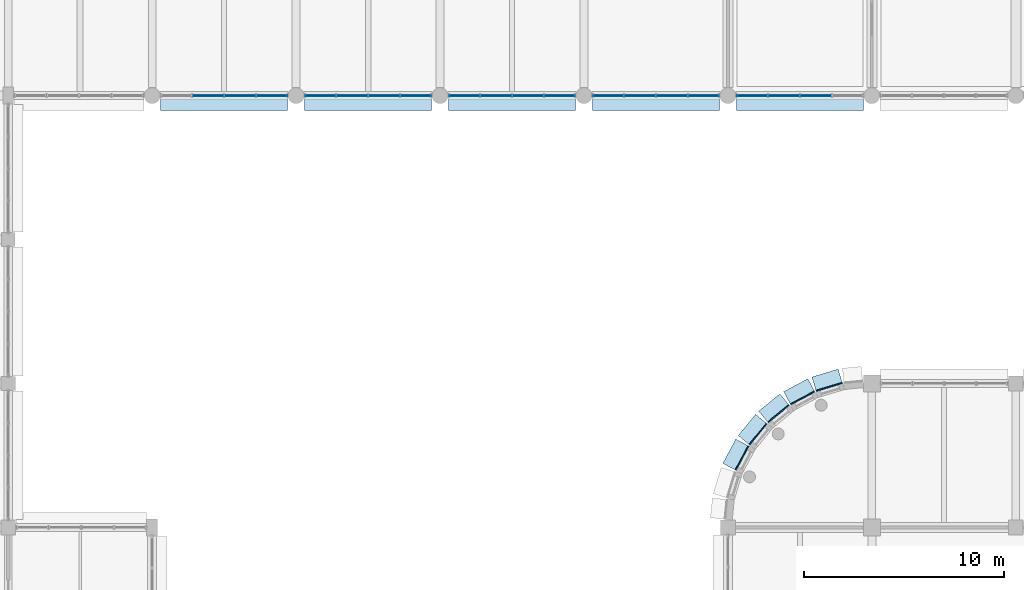
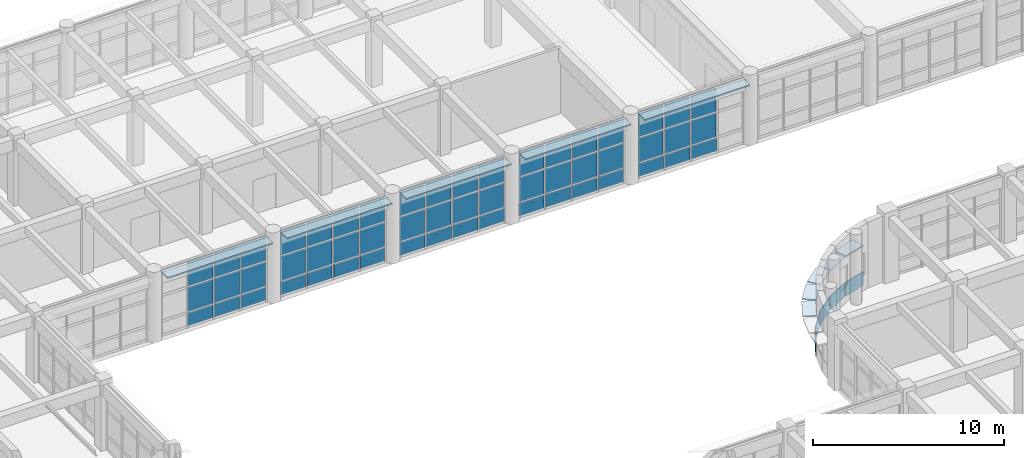
# One storey, part 122 of 171: 69 plates, 5 elements without a shape of their own.
"""IFC4 building model written with IfcOpenShell, lengths in metres."""

from ifc_helpers import new_model, si_unit, direction, frame, origin, origin_2d, place, context, subcontext, project, spatial, rectangle, extrude, material, layer, layer_set, type_object, element, aggregate, save


model = new_model("IFC4")

# Units and contexts
model_context = context("Model", 3, precision=1e-05, world=origin(), true_north=direction((0.0, 1.0)))
body_context = subcontext(model_context, "Body", "Model", "MODEL_VIEW")
ifc_project = project(units=[si_unit("LENGTHUNIT", "METRE"), si_unit("AREAUNIT", "SQUARE_METRE"), si_unit("VOLUMEUNIT", "CUBIC_METRE"), si_unit("PLANEANGLEUNIT", "RADIAN"), si_unit("MASSUNIT", "GRAM", prefix="KILO")], contexts=[model_context])

# Site, building, storey
site_placement = place(None, origin())
site = spatial("IfcSite", under=ifc_project, at=site_placement, CompositionType="ELEMENT")
building_placement = place(site_placement, origin())
building = spatial("IfcBuilding", under=site, at=building_placement, Name="Thalmaran Polytechnic", CompositionType="ELEMENT")
storey_placement = place(building_placement, frame((0.0, 0.0, 5.39990234375)))
storey = spatial("IfcBuildingStorey", under=building, at=storey_placement, Name="L01", CompositionType="ELEMENT", Elevation=5.39990234375)

# Plates
ifc_material_1 = material(Name="Anodised aluminium spandrel band", Category="aluminium")
ifc_layer_1 = layer(ifc_material_1, 0.054931640625, Name="Anodised aluminium spandrel band")
ifc_layer_set_1 = layer_set([ifc_layer_1], Name="Anodised aluminium spandrel band")
plate_type_1 = type_object("IfcPlateType", Name="PT-BD01", PredefinedType="SHEET", material=ifc_layer_set_1)
for number, where, z_axis, x_axis, name in (
    (1, (58.308837890625, 32.26953125, 0.020263671875), (0.0, 0.0, 1.0), (0.471396736826, 0.881921264348, 0.0), "Streamline Horizontal Spandrel Band L01-182"),
    (2, (59.1103515625, 33.46923828125, 0.020263671875), (0.0, 0.0, 1.0), (0.634393284164, 0.773010453363, 0.0), "Streamline Horizontal Spandrel Band L01-183"),
    (3, (60.130615234375, 34.489501953125, 0.020263671875), (0.0, 0.0, 1.0), (0.773010453363, 0.634393284164, 0.0), "Streamline Horizontal Spandrel Band L01-184"),
    (4, (61.33740234375, 35.278076171875, 0.020263671875), (0.0, 0.0, 1.0), (0.881921264348, 0.471396736826, 0.0), "Streamline Horizontal Spandrel Band L01-185"),
    (5, (62.667724609375, 35.8291015625, 0.020263671875), (0.0, 0.0, 1.0), (0.956940335732, 0.290284677254, 0.0), "Streamline Horizontal Spandrel Band L01-186"),
):
    element("IfcPlate", number, at=place(storey_placement, frame(where, z_axis=z_axis, x_axis=x_axis)), inside=storey, type_object=plate_type_1, Name=name, PredefinedType="SHEET", context=body_context, shape_type="SweptSolid", body=[
        extrude(rectangle(XDim=1.371337890625, YDim=0.054931640625, at=origin_2d()), origin(), (0.0, 0.0, 1.0), 0.8798828125),
    ])
ifc_material_2 = material(Name="Anodised aluminium sun-hood eyebrow", Category="aluminium")
ifc_layer_2 = layer(ifc_material_2, 0.0849609375, Name="Anodised aluminium sun-hood eyebrow")
ifc_layer_set_2 = layer_set([ifc_layer_2], Name="Anodised aluminium sun-hood eyebrow")
plate_type_2 = type_object("IfcPlateType", Name="PT-EB01", PredefinedType="SHEET", material=ifc_layer_set_2)
for number, where, z_axis, x_axis, name in (
    (6, (61.199951171875, 50.0400390625, 4.107666015625), (0.0, 0.0, 1.0), (-1.0, 0.0, 0.0), "Streamline Sun-Hood Eyebrow L01-CW152"),
    (7, (54.0, 50.0400390625, 4.107666015625), (0.0, 0.0, 1.0), (-1.0, 0.0, 0.0), "Streamline Sun-Hood Eyebrow L01-CW153"),
    (8, (46.800048828125, 50.0400390625, 4.107666015625), (0.0, 0.0, 1.0), (-1.0, 0.0, 0.0), "Streamline Sun-Hood Eyebrow L01-CW154"),
    (9, (39.60009765625, 50.0400390625, 4.107666015625), (0.0, 0.0, 1.0), (-1.0, 0.0, 0.0), "Streamline Sun-Hood Eyebrow L01-CW155"),
    (10, (32.39990234375, 50.0400390625, 4.107666015625), (0.0, 0.0, 1.0), (-1.0, 0.0, 0.0), "Streamline Sun-Hood Eyebrow L01-CW156"),
):
    element("IfcPlate", number, at=place(storey_placement, frame(where, z_axis=z_axis, x_axis=x_axis)), inside=storey, type_object=plate_type_2, Name=name, PredefinedType="SHEET", context=body_context, shape_type="SweptSolid", body=[
        extrude(rectangle(XDim=6.360107421875, YDim=0.760009765625, at=origin_2d()), origin(), (0.0, 0.0, 1.0), 0.0849609375),
    ])
for number, where, z_axis, x_axis, name in (
    (11, (58.00439453125, 32.432373046875, 2.517578125), (0.0, 0.0, 1.0), (0.471396736826, 0.881921264348, 0.0), "Streamline Sun-Hood Eyebrow L01-182"),
    (12, (58.84375, 33.688232421875, 2.517578125), (0.0, 0.0, 1.0), (0.634393284164, 0.773010453363, 0.0), "Streamline Sun-Hood Eyebrow L01-183"),
    (13, (59.911865234375, 34.75634765625, 2.517578125), (0.0, 0.0, 1.0), (0.773010453363, 0.634393284164, 0.0), "Streamline Sun-Hood Eyebrow L01-184"),
    (14, (61.1748046875, 35.582275390625, 2.517578125), (0.0, 0.0, 1.0), (0.881921264348, 0.471396736826, 0.0), "Streamline Sun-Hood Eyebrow L01-185"),
    (15, (62.567626953125, 36.1591796875, 2.517578125), (0.0, 0.0, 1.0), (0.956940335732, 0.290284677254, 0.0), "Streamline Sun-Hood Eyebrow L01-186"),
):
    element("IfcPlate", number, at=place(storey_placement, frame(where, z_axis=z_axis, x_axis=x_axis)), inside=storey, type_object=plate_type_2, Name=name, PredefinedType="SHEET", context=body_context, shape_type="SweptSolid", body=[
        extrude(rectangle(XDim=1.371337890625, YDim=0.760009765625, at=origin_2d()), origin(), (0.0, 0.0, 1.0), 0.0849609375),
    ])

# Curtain wall, plates
ifc_material_3 = material(Name="Aluminium 6063-T6", Category="aluminium")
curtain_wall_type = type_object("IfcCurtainWallType", Name="CW-SC01", PredefinedType="USERDEFINED", material=ifc_material_3)
curtain_wall_1_placement = place(storey_placement, origin())
curtain_wall_1 = element("IfcCurtainWall", 16, at=curtain_wall_1_placement, inside=storey, type_object=curtain_wall_type, Name="Curtain Wall CW-L01-155", ObjectType="STICK CURTAIN WALL", PredefinedType="USERDEFINED")
ifc_material_4 = material(Name="Solar-control double low-E glass", Category="glass")
ifc_layer_3 = layer(ifc_material_4, 0.035888671875, Name="Solar-control double low-E glass")
ifc_layer_set_3 = layer_set([ifc_layer_3], Name="Solar-control double low-E glass")
plate_type_3 = type_object("IfcPlateType", Name="PT-GL01", PredefinedType="CURTAIN_PANEL", material=ifc_layer_set_3)
plate_1_placement = place(storey_placement, frame((42.0, 50.39990234375, 1.000244140625), z_axis=(0.0, 0.0, 1.0), x_axis=(-1.0, 0.0, 0.0)))
plate_1 = element("IfcPlate", 17, at=plate_1_placement, type_object=plate_type_3, Name="CW-L01-155 Vision Panel 1-2", PredefinedType="CURTAIN_PANEL", context=body_context, shape_type="SweptSolid", body=[
    extrude(rectangle(XDim=1.5, YDim=0.035888671875, at=origin_2d()), origin(), (0.0, 0.0, 1.0), 1.544921875),
])
plate_2_placement = place(storey_placement, frame((42.0, 50.39990234375, 2.625), z_axis=(0.0, 0.0, 1.0), x_axis=(-1.0, 0.0, 0.0)))
plate_2 = element("IfcPlate", 18, at=plate_2_placement, type_object=plate_type_3, Name="CW-L01-155 Vision Panel 1-3", PredefinedType="CURTAIN_PANEL", context=body_context, shape_type="SweptSolid", body=[
    extrude(rectangle(XDim=1.5, YDim=0.035888671875, at=origin_2d()), origin(), (0.0, 0.0, 1.0), 1.485107421875),
])
plate_3_placement = place(storey_placement, frame((40.39990234375, 50.39990234375, 1.000244140625), z_axis=(0.0, 0.0, 1.0), x_axis=(-1.0, 0.0, 0.0)))
plate_3 = element("IfcPlate", 19, at=plate_3_placement, type_object=plate_type_3, Name="CW-L01-155 Vision Panel 2-2", PredefinedType="CURTAIN_PANEL", context=body_context, shape_type="SweptSolid", body=[
    extrude(rectangle(XDim=1.5, YDim=0.035888671875, at=origin_2d()), origin(), (0.0, 0.0, 1.0), 1.544921875),
])
plate_4_placement = place(storey_placement, frame((40.39990234375, 50.39990234375, 2.625), z_axis=(0.0, 0.0, 1.0), x_axis=(-1.0, 0.0, 0.0)))
plate_4 = element("IfcPlate", 20, at=plate_4_placement, type_object=plate_type_3, Name="CW-L01-155 Vision Panel 2-3", PredefinedType="CURTAIN_PANEL", context=body_context, shape_type="SweptSolid", body=[
    extrude(rectangle(XDim=1.5, YDim=0.035888671875, at=origin_2d()), origin(), (0.0, 0.0, 1.0), 1.485107421875),
])
plate_5_placement = place(storey_placement, frame((38.800048828125, 50.39990234375, 1.000244140625), z_axis=(0.0, 0.0, 1.0), x_axis=(-1.0, 0.0, 0.0)))
plate_5 = element("IfcPlate", 21, at=plate_5_placement, type_object=plate_type_3, Name="CW-L01-155 Vision Panel 3-2", PredefinedType="CURTAIN_PANEL", context=body_context, shape_type="SweptSolid", body=[
    extrude(rectangle(XDim=1.5, YDim=0.035888671875, at=origin_2d()), origin(), (0.0, 0.0, 1.0), 1.544921875),
])
plate_6_placement = place(storey_placement, frame((38.800048828125, 50.39990234375, 2.625), z_axis=(0.0, 0.0, 1.0), x_axis=(-1.0, 0.0, 0.0)))
plate_6 = element("IfcPlate", 22, at=plate_6_placement, type_object=plate_type_3, Name="CW-L01-155 Vision Panel 3-3", PredefinedType="CURTAIN_PANEL", context=body_context, shape_type="SweptSolid", body=[
    extrude(rectangle(XDim=1.5, YDim=0.035888671875, at=origin_2d()), origin(), (0.0, 0.0, 1.0), 1.485107421875),
])
plate_7_placement = place(storey_placement, frame((37.199951171875, 50.39990234375, 1.000244140625), z_axis=(0.0, 0.0, 1.0), x_axis=(-1.0, 0.0, 0.0)))
plate_7 = element("IfcPlate", 23, at=plate_7_placement, type_object=plate_type_3, Name="CW-L01-155 Vision Panel 4-2", PredefinedType="CURTAIN_PANEL", context=body_context, shape_type="SweptSolid", body=[
    extrude(rectangle(XDim=1.5, YDim=0.035888671875, at=origin_2d()), origin(), (0.0, 0.0, 1.0), 1.544921875),
])
plate_8_placement = place(storey_placement, frame((37.199951171875, 50.39990234375, 2.625), z_axis=(0.0, 0.0, 1.0), x_axis=(-1.0, 0.0, 0.0)))
plate_8 = element("IfcPlate", 24, at=plate_8_placement, type_object=plate_type_3, Name="CW-L01-155 Vision Panel 4-3", PredefinedType="CURTAIN_PANEL", context=body_context, shape_type="SweptSolid", body=[
    extrude(rectangle(XDim=1.5, YDim=0.035888671875, at=origin_2d()), origin(), (0.0, 0.0, 1.0), 1.485107421875),
])

curtain_wall_2_placement = place(storey_placement, origin())
curtain_wall_2 = element("IfcCurtainWall", 25, at=curtain_wall_2_placement, inside=storey, type_object=curtain_wall_type, Name="Curtain Wall CW-L01-156", ObjectType="STICK CURTAIN WALL", PredefinedType="USERDEFINED")
ifc_layer_4 = layer(ifc_material_4, 0.035888671875, Name="Solar-control double low-E glass")
ifc_layer_set_4 = layer_set([ifc_layer_4], Name="Solar-control double low-E glass")
plate_type_4 = type_object("IfcPlateType", Name="PT-GL02", PredefinedType="CURTAIN_PANEL", material=ifc_layer_set_4)
plate_9_placement = place(storey_placement, frame((34.800048828125, 50.39990234375, 1.000244140625), z_axis=(0.0, 0.0, 1.0), x_axis=(-1.0, 0.0, 0.0)))
plate_9 = element("IfcPlate", 26, at=plate_9_placement, type_object=plate_type_4, Name="CW-L01-156 Vision Panel 1-2", PredefinedType="CURTAIN_PANEL", context=body_context, shape_type="SweptSolid", body=[
    extrude(rectangle(XDim=1.5, YDim=0.035888671875, at=origin_2d()), origin(), (0.0, 0.0, 1.0), 1.544921875),
])
plate_10_placement = place(storey_placement, frame((34.800048828125, 50.39990234375, 2.625), z_axis=(0.0, 0.0, 1.0), x_axis=(-1.0, 0.0, 0.0)))
plate_10 = element("IfcPlate", 27, at=plate_10_placement, type_object=plate_type_4, Name="CW-L01-156 Vision Panel 1-3", PredefinedType="CURTAIN_PANEL", context=body_context, shape_type="SweptSolid", body=[
    extrude(rectangle(XDim=1.5, YDim=0.035888671875, at=origin_2d()), origin(), (0.0, 0.0, 1.0), 1.485107421875),
])
plate_11_placement = place(storey_placement, frame((33.199951171875, 50.39990234375, 1.000244140625), z_axis=(0.0, 0.0, 1.0), x_axis=(-1.0, 0.0, 0.0)))
plate_11 = element("IfcPlate", 28, at=plate_11_placement, type_object=plate_type_4, Name="CW-L01-156 Vision Panel 2-2", PredefinedType="CURTAIN_PANEL", context=body_context, shape_type="SweptSolid", body=[
    extrude(rectangle(XDim=1.5, YDim=0.035888671875, at=origin_2d()), origin(), (0.0, 0.0, 1.0), 1.544921875),
])
plate_12_placement = place(storey_placement, frame((33.199951171875, 50.39990234375, 2.625), z_axis=(0.0, 0.0, 1.0), x_axis=(-1.0, 0.0, 0.0)))
plate_12 = element("IfcPlate", 29, at=plate_12_placement, type_object=plate_type_4, Name="CW-L01-156 Vision Panel 2-3", PredefinedType="CURTAIN_PANEL", context=body_context, shape_type="SweptSolid", body=[
    extrude(rectangle(XDim=1.5, YDim=0.035888671875, at=origin_2d()), origin(), (0.0, 0.0, 1.0), 1.485107421875),
])
plate_13_placement = place(storey_placement, frame((31.60009765625, 50.39990234375, 1.000244140625), z_axis=(0.0, 0.0, 1.0), x_axis=(-1.0, 0.0, 0.0)))
plate_13 = element("IfcPlate", 30, at=plate_13_placement, type_object=plate_type_4, Name="CW-L01-156 Vision Panel 3-2", PredefinedType="CURTAIN_PANEL", context=body_context, shape_type="SweptSolid", body=[
    extrude(rectangle(XDim=1.5, YDim=0.035888671875, at=origin_2d()), origin(), (0.0, 0.0, 1.0), 1.544921875),
])
plate_14_placement = place(storey_placement, frame((31.60009765625, 50.39990234375, 2.625), z_axis=(0.0, 0.0, 1.0), x_axis=(-1.0, 0.0, 0.0)))
plate_14 = element("IfcPlate", 31, at=plate_14_placement, type_object=plate_type_4, Name="CW-L01-156 Vision Panel 3-3", PredefinedType="CURTAIN_PANEL", context=body_context, shape_type="SweptSolid", body=[
    extrude(rectangle(XDim=1.5, YDim=0.035888671875, at=origin_2d()), origin(), (0.0, 0.0, 1.0), 1.485107421875),
])

curtain_wall_3_placement = place(storey_placement, origin())
curtain_wall_3 = element("IfcCurtainWall", 32, at=curtain_wall_3_placement, inside=storey, type_object=curtain_wall_type, Name="Curtain Wall CW-L01-152", ObjectType="STICK CURTAIN WALL", PredefinedType="USERDEFINED")
ifc_layer_5 = layer(ifc_material_4, 0.035888671875, Name="Solar-control double low-E glass")
ifc_layer_set_5 = layer_set([ifc_layer_5], Name="Solar-control double low-E glass")
plate_type_5 = type_object("IfcPlateType", Name="PT-GL03", PredefinedType="CURTAIN_PANEL", material=ifc_layer_set_5)
plate_15_placement = place(storey_placement, frame((62.0, 50.39990234375, 1.000244140625), z_axis=(0.0, 0.0, 1.0), x_axis=(-1.0, 0.0, 0.0)))
plate_15 = element("IfcPlate", 33, at=plate_15_placement, type_object=plate_type_5, Name="CW-L01-152 Vision Panel 2-2", PredefinedType="CURTAIN_PANEL", context=body_context, shape_type="SweptSolid", body=[
    extrude(rectangle(XDim=1.5, YDim=0.035888671875, at=origin_2d()), origin(), (0.0, 0.0, 1.0), 1.544921875),
])
plate_16_placement = place(storey_placement, frame((62.0, 50.39990234375, 2.625), z_axis=(0.0, 0.0, 1.0), x_axis=(-1.0, 0.0, 0.0)))
plate_16 = element("IfcPlate", 34, at=plate_16_placement, type_object=plate_type_5, Name="CW-L01-152 Vision Panel 2-3", PredefinedType="CURTAIN_PANEL", context=body_context, shape_type="SweptSolid", body=[
    extrude(rectangle(XDim=1.5, YDim=0.035888671875, at=origin_2d()), origin(), (0.0, 0.0, 1.0), 1.485107421875),
])
plate_17_placement = place(storey_placement, frame((60.39990234375, 50.39990234375, 1.000244140625), z_axis=(0.0, 0.0, 1.0), x_axis=(-1.0, 0.0, 0.0)))
plate_17 = element("IfcPlate", 35, at=plate_17_placement, type_object=plate_type_5, Name="CW-L01-152 Vision Panel 3-2", PredefinedType="CURTAIN_PANEL", context=body_context, shape_type="SweptSolid", body=[
    extrude(rectangle(XDim=1.5, YDim=0.035888671875, at=origin_2d()), origin(), (0.0, 0.0, 1.0), 1.544921875),
])
plate_18_placement = place(storey_placement, frame((60.39990234375, 50.39990234375, 2.625), z_axis=(0.0, 0.0, 1.0), x_axis=(-1.0, 0.0, 0.0)))
plate_18 = element("IfcPlate", 36, at=plate_18_placement, type_object=plate_type_5, Name="CW-L01-152 Vision Panel 3-3", PredefinedType="CURTAIN_PANEL", context=body_context, shape_type="SweptSolid", body=[
    extrude(rectangle(XDim=1.5, YDim=0.035888671875, at=origin_2d()), origin(), (0.0, 0.0, 1.0), 1.485107421875),
])
plate_19_placement = place(storey_placement, frame((58.800048828125, 50.39990234375, 1.000244140625), z_axis=(0.0, 0.0, 1.0), x_axis=(-1.0, 0.0, 0.0)))
plate_19 = element("IfcPlate", 37, at=plate_19_placement, type_object=plate_type_5, Name="CW-L01-152 Vision Panel 4-2", PredefinedType="CURTAIN_PANEL", context=body_context, shape_type="SweptSolid", body=[
    extrude(rectangle(XDim=1.5, YDim=0.035888671875, at=origin_2d()), origin(), (0.0, 0.0, 1.0), 1.544921875),
])
plate_20_placement = place(storey_placement, frame((58.800048828125, 50.39990234375, 2.625), z_axis=(0.0, 0.0, 1.0), x_axis=(-1.0, 0.0, 0.0)))
plate_20 = element("IfcPlate", 38, at=plate_20_placement, type_object=plate_type_5, Name="CW-L01-152 Vision Panel 4-3", PredefinedType="CURTAIN_PANEL", context=body_context, shape_type="SweptSolid", body=[
    extrude(rectangle(XDim=1.5, YDim=0.035888671875, at=origin_2d()), origin(), (0.0, 0.0, 1.0), 1.485107421875),
])

curtain_wall_4_placement = place(storey_placement, origin())
curtain_wall_4 = element("IfcCurtainWall", 39, at=curtain_wall_4_placement, inside=storey, type_object=curtain_wall_type, Name="Curtain Wall CW-L01-153", ObjectType="STICK CURTAIN WALL", PredefinedType="USERDEFINED")
ifc_layer_6 = layer(ifc_material_4, 0.035888671875, Name="Solar-control double low-E glass")
ifc_layer_set_6 = layer_set([ifc_layer_6], Name="Solar-control double low-E glass")
plate_type_6 = type_object("IfcPlateType", Name="PT-GL04", PredefinedType="CURTAIN_PANEL", material=ifc_layer_set_6)
plate_21_placement = place(storey_placement, frame((56.39990234375, 50.39990234375, 1.000244140625), z_axis=(0.0, 0.0, 1.0), x_axis=(-1.0, 0.0, 0.0)))
plate_21 = element("IfcPlate", 40, at=plate_21_placement, type_object=plate_type_6, Name="CW-L01-153 Vision Panel 1-2", PredefinedType="CURTAIN_PANEL", context=body_context, shape_type="SweptSolid", body=[
    extrude(rectangle(XDim=1.5, YDim=0.035888671875, at=origin_2d()), origin(), (0.0, 0.0, 1.0), 1.544921875),
])
plate_22_placement = place(storey_placement, frame((56.39990234375, 50.39990234375, 2.625), z_axis=(0.0, 0.0, 1.0), x_axis=(-1.0, 0.0, 0.0)))
plate_22 = element("IfcPlate", 41, at=plate_22_placement, type_object=plate_type_6, Name="CW-L01-153 Vision Panel 1-3", PredefinedType="CURTAIN_PANEL", context=body_context, shape_type="SweptSolid", body=[
    extrude(rectangle(XDim=1.5, YDim=0.035888671875, at=origin_2d()), origin(), (0.0, 0.0, 1.0), 1.485107421875),
])
plate_23_placement = place(storey_placement, frame((54.800048828125, 50.39990234375, 1.000244140625), z_axis=(0.0, 0.0, 1.0), x_axis=(-1.0, 0.0, 0.0)))
plate_23 = element("IfcPlate", 42, at=plate_23_placement, type_object=plate_type_6, Name="CW-L01-153 Vision Panel 2-2", PredefinedType="CURTAIN_PANEL", context=body_context, shape_type="SweptSolid", body=[
    extrude(rectangle(XDim=1.5, YDim=0.035888671875, at=origin_2d()), origin(), (0.0, 0.0, 1.0), 1.544921875),
])
plate_24_placement = place(storey_placement, frame((54.800048828125, 50.39990234375, 2.625), z_axis=(0.0, 0.0, 1.0), x_axis=(-1.0, 0.0, 0.0)))
plate_24 = element("IfcPlate", 43, at=plate_24_placement, type_object=plate_type_6, Name="CW-L01-153 Vision Panel 2-3", PredefinedType="CURTAIN_PANEL", context=body_context, shape_type="SweptSolid", body=[
    extrude(rectangle(XDim=1.5, YDim=0.035888671875, at=origin_2d()), origin(), (0.0, 0.0, 1.0), 1.485107421875),
])
plate_25_placement = place(storey_placement, frame((53.199951171875, 50.39990234375, 1.000244140625), z_axis=(0.0, 0.0, 1.0), x_axis=(-1.0, 0.0, 0.0)))
plate_25 = element("IfcPlate", 44, at=plate_25_placement, type_object=plate_type_6, Name="CW-L01-153 Vision Panel 3-2", PredefinedType="CURTAIN_PANEL", context=body_context, shape_type="SweptSolid", body=[
    extrude(rectangle(XDim=1.5, YDim=0.035888671875, at=origin_2d()), origin(), (0.0, 0.0, 1.0), 1.544921875),
])
plate_26_placement = place(storey_placement, frame((53.199951171875, 50.39990234375, 2.625), z_axis=(0.0, 0.0, 1.0), x_axis=(-1.0, 0.0, 0.0)))
plate_26 = element("IfcPlate", 45, at=plate_26_placement, type_object=plate_type_6, Name="CW-L01-153 Vision Panel 3-3", PredefinedType="CURTAIN_PANEL", context=body_context, shape_type="SweptSolid", body=[
    extrude(rectangle(XDim=1.5, YDim=0.035888671875, at=origin_2d()), origin(), (0.0, 0.0, 1.0), 1.485107421875),
])
plate_27_placement = place(storey_placement, frame((51.60009765625, 50.39990234375, 1.000244140625), z_axis=(0.0, 0.0, 1.0), x_axis=(-1.0, 0.0, 0.0)))
plate_27 = element("IfcPlate", 46, at=plate_27_placement, type_object=plate_type_6, Name="CW-L01-153 Vision Panel 4-2", PredefinedType="CURTAIN_PANEL", context=body_context, shape_type="SweptSolid", body=[
    extrude(rectangle(XDim=1.5, YDim=0.035888671875, at=origin_2d()), origin(), (0.0, 0.0, 1.0), 1.544921875),
])
plate_28_placement = place(storey_placement, frame((51.60009765625, 50.39990234375, 2.625), z_axis=(0.0, 0.0, 1.0), x_axis=(-1.0, 0.0, 0.0)))
plate_28 = element("IfcPlate", 47, at=plate_28_placement, type_object=plate_type_6, Name="CW-L01-153 Vision Panel 4-3", PredefinedType="CURTAIN_PANEL", context=body_context, shape_type="SweptSolid", body=[
    extrude(rectangle(XDim=1.5, YDim=0.035888671875, at=origin_2d()), origin(), (0.0, 0.0, 1.0), 1.485107421875),
])

curtain_wall_5_placement = place(storey_placement, origin())
curtain_wall_5 = element("IfcCurtainWall", 48, at=curtain_wall_5_placement, inside=storey, type_object=curtain_wall_type, Name="Curtain Wall CW-L01-154", ObjectType="STICK CURTAIN WALL", PredefinedType="USERDEFINED")
ifc_layer_7 = layer(ifc_material_4, 0.035888671875, Name="Solar-control double low-E glass")
ifc_layer_set_7 = layer_set([ifc_layer_7], Name="Solar-control double low-E glass")
plate_type_7 = type_object("IfcPlateType", Name="PT-GL05", PredefinedType="CURTAIN_PANEL", material=ifc_layer_set_7)
plate_29_placement = place(storey_placement, frame((49.199951171875, 50.39990234375, 1.000244140625), z_axis=(0.0, 0.0, 1.0), x_axis=(-1.0, 0.0, 0.0)))
plate_29 = element("IfcPlate", 49, at=plate_29_placement, type_object=plate_type_7, Name="CW-L01-154 Vision Panel 1-2", PredefinedType="CURTAIN_PANEL", context=body_context, shape_type="SweptSolid", body=[
    extrude(rectangle(XDim=1.5, YDim=0.035888671875, at=origin_2d()), origin(), (0.0, 0.0, 1.0), 1.544921875),
])
plate_30_placement = place(storey_placement, frame((49.199951171875, 50.39990234375, 2.625), z_axis=(0.0, 0.0, 1.0), x_axis=(-1.0, 0.0, 0.0)))
plate_30 = element("IfcPlate", 50, at=plate_30_placement, type_object=plate_type_7, Name="CW-L01-154 Vision Panel 1-3", PredefinedType="CURTAIN_PANEL", context=body_context, shape_type="SweptSolid", body=[
    extrude(rectangle(XDim=1.5, YDim=0.035888671875, at=origin_2d()), origin(), (0.0, 0.0, 1.0), 1.485107421875),
])
plate_31_placement = place(storey_placement, frame((47.60009765625, 50.39990234375, 1.000244140625), z_axis=(0.0, 0.0, 1.0), x_axis=(-1.0, 0.0, 0.0)))
plate_31 = element("IfcPlate", 51, at=plate_31_placement, type_object=plate_type_7, Name="CW-L01-154 Vision Panel 2-2", PredefinedType="CURTAIN_PANEL", context=body_context, shape_type="SweptSolid", body=[
    extrude(rectangle(XDim=1.5, YDim=0.035888671875, at=origin_2d()), origin(), (0.0, 0.0, 1.0), 1.544921875),
])
plate_32_placement = place(storey_placement, frame((47.60009765625, 50.39990234375, 2.625), z_axis=(0.0, 0.0, 1.0), x_axis=(-1.0, 0.0, 0.0)))
plate_32 = element("IfcPlate", 52, at=plate_32_placement, type_object=plate_type_7, Name="CW-L01-154 Vision Panel 2-3", PredefinedType="CURTAIN_PANEL", context=body_context, shape_type="SweptSolid", body=[
    extrude(rectangle(XDim=1.5, YDim=0.035888671875, at=origin_2d()), origin(), (0.0, 0.0, 1.0), 1.485107421875),
])
plate_33_placement = place(storey_placement, frame((46.0, 50.39990234375, 1.000244140625), z_axis=(0.0, 0.0, 1.0), x_axis=(-1.0, 0.0, 0.0)))
plate_33 = element("IfcPlate", 53, at=plate_33_placement, type_object=plate_type_7, Name="CW-L01-154 Vision Panel 3-2", PredefinedType="CURTAIN_PANEL", context=body_context, shape_type="SweptSolid", body=[
    extrude(rectangle(XDim=1.5, YDim=0.035888671875, at=origin_2d()), origin(), (0.0, 0.0, 1.0), 1.544921875),
])
plate_34_placement = place(storey_placement, frame((46.0, 50.39990234375, 2.625), z_axis=(0.0, 0.0, 1.0), x_axis=(-1.0, 0.0, 0.0)))
plate_34 = element("IfcPlate", 54, at=plate_34_placement, type_object=plate_type_7, Name="CW-L01-154 Vision Panel 3-3", PredefinedType="CURTAIN_PANEL", context=body_context, shape_type="SweptSolid", body=[
    extrude(rectangle(XDim=1.5, YDim=0.035888671875, at=origin_2d()), origin(), (0.0, 0.0, 1.0), 1.485107421875),
])
plate_35_placement = place(storey_placement, frame((44.39990234375, 50.39990234375, 1.000244140625), z_axis=(0.0, 0.0, 1.0), x_axis=(-1.0, 0.0, 0.0)))
plate_35 = element("IfcPlate", 55, at=plate_35_placement, type_object=plate_type_7, Name="CW-L01-154 Vision Panel 4-2", PredefinedType="CURTAIN_PANEL", context=body_context, shape_type="SweptSolid", body=[
    extrude(rectangle(XDim=1.5, YDim=0.035888671875, at=origin_2d()), origin(), (0.0, 0.0, 1.0), 1.544921875),
])
plate_36_placement = place(storey_placement, frame((44.39990234375, 50.39990234375, 2.625), z_axis=(0.0, 0.0, 1.0), x_axis=(-1.0, 0.0, 0.0)))
plate_36 = element("IfcPlate", 56, at=plate_36_placement, type_object=plate_type_7, Name="CW-L01-154 Vision Panel 4-3", PredefinedType="CURTAIN_PANEL", context=body_context, shape_type="SweptSolid", body=[
    extrude(rectangle(XDim=1.5, YDim=0.035888671875, at=origin_2d()), origin(), (0.0, 0.0, 1.0), 1.485107421875),
])

# Plate
ifc_material_5 = material(Name="Insulated anodised aluminium spandrel", Category="aluminium")
ifc_layer_8 = layer(ifc_material_5, 0.06005859375, Name="Insulated anodised aluminium spandrel")
ifc_layer_set_8 = layer_set([ifc_layer_8], Name="Insulated anodised aluminium spandrel")
plate_type_8 = type_object("IfcPlateType", Name="PT-SP01", PredefinedType="CURTAIN_PANEL", material=ifc_layer_set_8)
plate_37_placement = place(storey_placement, frame((56.39990234375, 50.39990234375, 0.10009765625), z_axis=(0.0, 0.0, 1.0), x_axis=(-1.0, 0.0, 0.0)))
plate_37 = element("IfcPlate", 57, at=plate_37_placement, type_object=plate_type_8, Name="CW-L01-153 Spandrel Panel 1-1", PredefinedType="CURTAIN_PANEL", context=body_context, shape_type="SweptSolid", body=[
    extrude(rectangle(XDim=1.5, YDim=0.06005859375, at=origin_2d()), origin(), (0.0, 0.0, 1.0), 0.820068359375),
])

plate_38_placement = place(storey_placement, frame((54.800048828125, 50.39990234375, 0.10009765625), z_axis=(0.0, 0.0, 1.0), x_axis=(-1.0, 0.0, 0.0)))
plate_38 = element("IfcPlate", 58, at=plate_38_placement, type_object=plate_type_8, Name="CW-L01-153 Spandrel Panel 2-1", PredefinedType="CURTAIN_PANEL", context=body_context, shape_type="SweptSolid", body=[
    extrude(rectangle(XDim=1.5, YDim=0.06005859375, at=origin_2d()), origin(), (0.0, 0.0, 1.0), 0.820068359375),
])

plate_39_placement = place(storey_placement, frame((53.199951171875, 50.39990234375, 0.10009765625), z_axis=(0.0, 0.0, 1.0), x_axis=(-1.0, 0.0, 0.0)))
plate_39 = element("IfcPlate", 59, at=plate_39_placement, type_object=plate_type_8, Name="CW-L01-153 Spandrel Panel 3-1", PredefinedType="CURTAIN_PANEL", context=body_context, shape_type="SweptSolid", body=[
    extrude(rectangle(XDim=1.5, YDim=0.06005859375, at=origin_2d()), origin(), (0.0, 0.0, 1.0), 0.820068359375),
])

plate_40_placement = place(storey_placement, frame((51.60009765625, 50.39990234375, 0.10009765625), z_axis=(0.0, 0.0, 1.0), x_axis=(-1.0, 0.0, 0.0)))
plate_40 = element("IfcPlate", 60, at=plate_40_placement, type_object=plate_type_8, Name="CW-L01-153 Spandrel Panel 4-1", PredefinedType="CURTAIN_PANEL", context=body_context, shape_type="SweptSolid", body=[
    extrude(rectangle(XDim=1.5, YDim=0.06005859375, at=origin_2d()), origin(), (0.0, 0.0, 1.0), 0.820068359375),
])

aggregate(curtain_wall_4, [plate_37, plate_21, plate_22, plate_38, plate_23, plate_24, plate_39, plate_25, plate_26, plate_40, plate_27, plate_28])

plate_41_placement = place(storey_placement, frame((34.800048828125, 50.39990234375, 0.10009765625), z_axis=(0.0, 0.0, 1.0), x_axis=(-1.0, 0.0, 0.0)))
plate_41 = element("IfcPlate", 61, at=plate_41_placement, type_object=plate_type_8, Name="CW-L01-156 Spandrel Panel 1-1", PredefinedType="CURTAIN_PANEL", context=body_context, shape_type="SweptSolid", body=[
    extrude(rectangle(XDim=1.5, YDim=0.06005859375, at=origin_2d()), origin(), (0.0, 0.0, 1.0), 0.820068359375),
])

plate_42_placement = place(storey_placement, frame((33.199951171875, 50.39990234375, 0.10009765625), z_axis=(0.0, 0.0, 1.0), x_axis=(-1.0, 0.0, 0.0)))
plate_42 = element("IfcPlate", 62, at=plate_42_placement, type_object=plate_type_8, Name="CW-L01-156 Spandrel Panel 2-1", PredefinedType="CURTAIN_PANEL", context=body_context, shape_type="SweptSolid", body=[
    extrude(rectangle(XDim=1.5, YDim=0.06005859375, at=origin_2d()), origin(), (0.0, 0.0, 1.0), 0.820068359375),
])

plate_43_placement = place(storey_placement, frame((31.60009765625, 50.39990234375, 0.10009765625), z_axis=(0.0, 0.0, 1.0), x_axis=(-1.0, 0.0, 0.0)))
plate_43 = element("IfcPlate", 63, at=plate_43_placement, type_object=plate_type_8, Name="CW-L01-156 Spandrel Panel 3-1", PredefinedType="CURTAIN_PANEL", context=body_context, shape_type="SweptSolid", body=[
    extrude(rectangle(XDim=1.5, YDim=0.06005859375, at=origin_2d()), origin(), (0.0, 0.0, 1.0), 0.820068359375),
])

aggregate(curtain_wall_2, [plate_41, plate_9, plate_10, plate_42, plate_11, plate_12, plate_43, plate_13, plate_14])

ifc_layer_9 = layer(ifc_material_5, 0.06005859375, Name="Insulated anodised aluminium spandrel")
ifc_layer_set_9 = layer_set([ifc_layer_9], Name="Insulated anodised aluminium spandrel")
plate_type_9 = type_object("IfcPlateType", Name="PT-SP02", PredefinedType="CURTAIN_PANEL", material=ifc_layer_set_9)
plate_44_placement = place(storey_placement, frame((49.199951171875, 50.39990234375, 0.10009765625), z_axis=(0.0, 0.0, 1.0), x_axis=(-1.0, 0.0, 0.0)))
plate_44 = element("IfcPlate", 64, at=plate_44_placement, type_object=plate_type_9, Name="CW-L01-154 Spandrel Panel 1-1", PredefinedType="CURTAIN_PANEL", context=body_context, shape_type="SweptSolid", body=[
    extrude(rectangle(XDim=1.5, YDim=0.06005859375, at=origin_2d()), origin(), (0.0, 0.0, 1.0), 0.820068359375),
])

plate_45_placement = place(storey_placement, frame((47.60009765625, 50.39990234375, 0.10009765625), z_axis=(0.0, 0.0, 1.0), x_axis=(-1.0, 0.0, 0.0)))
plate_45 = element("IfcPlate", 65, at=plate_45_placement, type_object=plate_type_9, Name="CW-L01-154 Spandrel Panel 2-1", PredefinedType="CURTAIN_PANEL", context=body_context, shape_type="SweptSolid", body=[
    extrude(rectangle(XDim=1.5, YDim=0.06005859375, at=origin_2d()), origin(), (0.0, 0.0, 1.0), 0.820068359375),
])

plate_46_placement = place(storey_placement, frame((46.0, 50.39990234375, 0.10009765625), z_axis=(0.0, 0.0, 1.0), x_axis=(-1.0, 0.0, 0.0)))
plate_46 = element("IfcPlate", 66, at=plate_46_placement, type_object=plate_type_9, Name="CW-L01-154 Spandrel Panel 3-1", PredefinedType="CURTAIN_PANEL", context=body_context, shape_type="SweptSolid", body=[
    extrude(rectangle(XDim=1.5, YDim=0.06005859375, at=origin_2d()), origin(), (0.0, 0.0, 1.0), 0.820068359375),
])

plate_47_placement = place(storey_placement, frame((44.39990234375, 50.39990234375, 0.10009765625), z_axis=(0.0, 0.0, 1.0), x_axis=(-1.0, 0.0, 0.0)))
plate_47 = element("IfcPlate", 67, at=plate_47_placement, type_object=plate_type_9, Name="CW-L01-154 Spandrel Panel 4-1", PredefinedType="CURTAIN_PANEL", context=body_context, shape_type="SweptSolid", body=[
    extrude(rectangle(XDim=1.5, YDim=0.06005859375, at=origin_2d()), origin(), (0.0, 0.0, 1.0), 0.820068359375),
])

aggregate(curtain_wall_5, [plate_44, plate_29, plate_30, plate_45, plate_31, plate_32, plate_46, plate_33, plate_34, plate_47, plate_35, plate_36])

ifc_layer_10 = layer(ifc_material_5, 0.06005859375, Name="Insulated anodised aluminium spandrel")
ifc_layer_set_10 = layer_set([ifc_layer_10], Name="Insulated anodised aluminium spandrel")
plate_type_10 = type_object("IfcPlateType", Name="PT-SP03", PredefinedType="CURTAIN_PANEL", material=ifc_layer_set_10)
plate_48_placement = place(storey_placement, frame((62.0, 50.39990234375, 0.10009765625), z_axis=(0.0, 0.0, 1.0), x_axis=(-1.0, 0.0, 0.0)))
plate_48 = element("IfcPlate", 68, at=plate_48_placement, type_object=plate_type_10, Name="CW-L01-152 Spandrel Panel 2-1", PredefinedType="CURTAIN_PANEL", context=body_context, shape_type="SweptSolid", body=[
    extrude(rectangle(XDim=1.5, YDim=0.06005859375, at=origin_2d()), origin(), (0.0, 0.0, 1.0), 0.820068359375),
])

plate_49_placement = place(storey_placement, frame((60.39990234375, 50.39990234375, 0.10009765625), z_axis=(0.0, 0.0, 1.0), x_axis=(-1.0, 0.0, 0.0)))
plate_49 = element("IfcPlate", 69, at=plate_49_placement, type_object=plate_type_10, Name="CW-L01-152 Spandrel Panel 3-1", PredefinedType="CURTAIN_PANEL", context=body_context, shape_type="SweptSolid", body=[
    extrude(rectangle(XDim=1.5, YDim=0.06005859375, at=origin_2d()), origin(), (0.0, 0.0, 1.0), 0.820068359375),
])

plate_50_placement = place(storey_placement, frame((58.800048828125, 50.39990234375, 0.10009765625), z_axis=(0.0, 0.0, 1.0), x_axis=(-1.0, 0.0, 0.0)))
plate_50 = element("IfcPlate", 70, at=plate_50_placement, type_object=plate_type_10, Name="CW-L01-152 Spandrel Panel 4-1", PredefinedType="CURTAIN_PANEL", context=body_context, shape_type="SweptSolid", body=[
    extrude(rectangle(XDim=1.5, YDim=0.06005859375, at=origin_2d()), origin(), (0.0, 0.0, 1.0), 0.820068359375),
])

aggregate(curtain_wall_3, [plate_48, plate_15, plate_16, plate_49, plate_17, plate_18, plate_50, plate_19, plate_20])

plate_51_placement = place(storey_placement, frame((42.0, 50.39990234375, 0.10009765625), z_axis=(0.0, 0.0, 1.0), x_axis=(-1.0, 0.0, 0.0)))
plate_51 = element("IfcPlate", 71, at=plate_51_placement, type_object=plate_type_10, Name="CW-L01-155 Spandrel Panel 1-1", PredefinedType="CURTAIN_PANEL", context=body_context, shape_type="SweptSolid", body=[
    extrude(rectangle(XDim=1.5, YDim=0.06005859375, at=origin_2d()), origin(), (0.0, 0.0, 1.0), 0.820068359375),
])

plate_52_placement = place(storey_placement, frame((40.39990234375, 50.39990234375, 0.10009765625), z_axis=(0.0, 0.0, 1.0), x_axis=(-1.0, 0.0, 0.0)))
plate_52 = element("IfcPlate", 72, at=plate_52_placement, type_object=plate_type_10, Name="CW-L01-155 Spandrel Panel 2-1", PredefinedType="CURTAIN_PANEL", context=body_context, shape_type="SweptSolid", body=[
    extrude(rectangle(XDim=1.5, YDim=0.06005859375, at=origin_2d()), origin(), (0.0, 0.0, 1.0), 0.820068359375),
])

plate_53_placement = place(storey_placement, frame((38.800048828125, 50.39990234375, 0.10009765625), z_axis=(0.0, 0.0, 1.0), x_axis=(-1.0, 0.0, 0.0)))
plate_53 = element("IfcPlate", 73, at=plate_53_placement, type_object=plate_type_10, Name="CW-L01-155 Spandrel Panel 3-1", PredefinedType="CURTAIN_PANEL", context=body_context, shape_type="SweptSolid", body=[
    extrude(rectangle(XDim=1.5, YDim=0.06005859375, at=origin_2d()), origin(), (0.0, 0.0, 1.0), 0.820068359375),
])

plate_54_placement = place(storey_placement, frame((37.199951171875, 50.39990234375, 0.10009765625), z_axis=(0.0, 0.0, 1.0), x_axis=(-1.0, 0.0, 0.0)))
plate_54 = element("IfcPlate", 74, at=plate_54_placement, type_object=plate_type_10, Name="CW-L01-155 Spandrel Panel 4-1", PredefinedType="CURTAIN_PANEL", context=body_context, shape_type="SweptSolid", body=[
    extrude(rectangle(XDim=1.5, YDim=0.06005859375, at=origin_2d()), origin(), (0.0, 0.0, 1.0), 0.820068359375),
])

aggregate(curtain_wall_1, [plate_51, plate_1, plate_2, plate_52, plate_3, plate_4, plate_53, plate_5, plate_6, plate_54, plate_7, plate_8])

save(model, "model.ifc")
